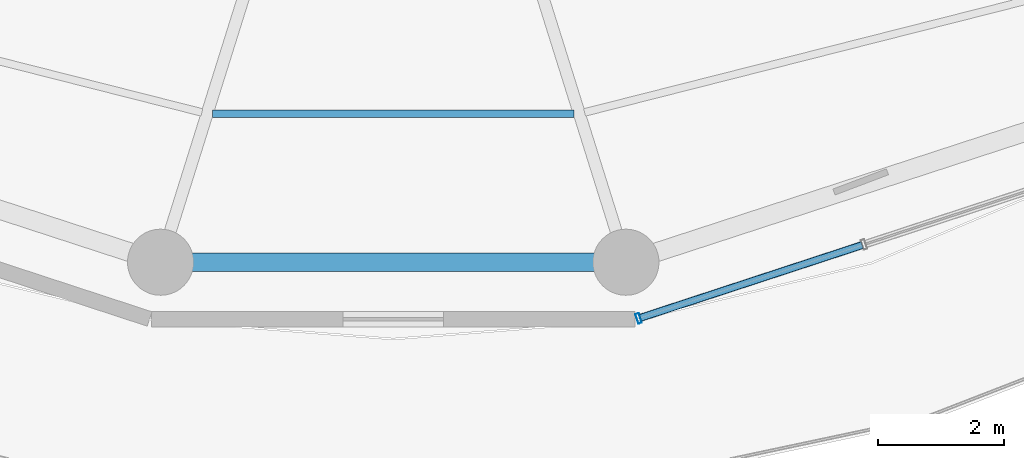
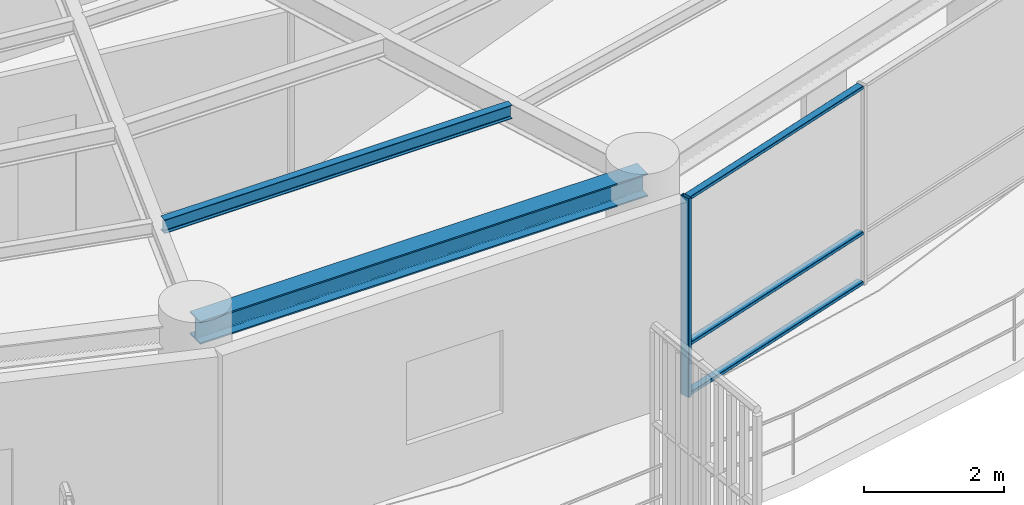
# One storey, part 4 of 30: 4 members, 2 beams, 1 element without a shape of its own.
"""IFC4 building model written with IfcOpenShell, lengths in metres."""

from ifc_helpers import new_model, si_unit, direction, frame, origin, origin_2d, place, context, subcontext, project, spatial, hollow_rectangle, i_section, extrude, material, layer, layer_set, material_profile, profile_set, type_object, element, aggregate, save


model = new_model("IFC4")

# Units and contexts
model_context = context("Model", 3, precision=1e-05, world=origin(), true_north=direction((0.0, 1.0)))
body_context = subcontext(model_context, "Body", "Model", "MODEL_VIEW")
ifc_project = project(units=[si_unit("LENGTHUNIT", "METRE"), si_unit("AREAUNIT", "SQUARE_METRE"), si_unit("VOLUMEUNIT", "CUBIC_METRE"), si_unit("PLANEANGLEUNIT", "RADIAN"), si_unit("MASSUNIT", "GRAM", prefix="KILO")], contexts=[model_context])

# Site, building, storey
site_placement = place(None, origin())
site = spatial("IfcSite", under=ifc_project, at=site_placement, CompositionType="ELEMENT")
building_placement = place(site_placement, origin())
building = spatial("IfcBuilding", under=site, at=building_placement, Name="Kelanora Arch Commons", CompositionType="ELEMENT")
storey_placement = place(building_placement, frame((0.0, 0.0, 204.449951171875)))
storey = spatial("IfcBuildingStorey", under=building, at=storey_placement, Name="L52", CompositionType="ELEMENT", Elevation=204.449951171875)

# Beams
ifc_material_1 = material(Name="Steel S355", Category="steel")
ifc_material_profile_1 = material_profile(ifc_material_1, i_section(OverallWidth=0.1201171875, OverallDepth=0.239990234375, WebThickness=0.006103515625, FlangeThickness=0.009765625, FilletRadius=0.014892578125, at=origin_2d()), Name="IPE240")
ifc_profile_set_1 = profile_set([ifc_material_profile_1], Name="Steel S355")
beam_type_1 = type_object("IfcBeamType", Name="BM-JST-02", PredefinedType="JOIST", material=ifc_profile_set_1)
beam_1_placement = place(storey_placement, frame((71.12890625, 41.56787109375, 3.3701171875), z_axis=(1.0, 0.0, 0.0), x_axis=(0.0, 1.0, 0.0)))
element("IfcBeam", 1, at=beam_1_placement, inside=storey, type_object=beam_type_1, Name="Secondary Chord Joist BJC-26 L52", PredefinedType="JOIST", context=body_context, shape_type="SweptSolid", body=[
    extrude(i_section(OverallWidth=0.1201171875, OverallDepth=0.239990234375, WebThickness=0.006103515625, FlangeThickness=0.009765625, FilletRadius=0.014892578125, at=origin_2d()), origin(), (0.0, 0.0, 1.0), 5.7421875),
])
ifc_material_profile_2 = material_profile(ifc_material_1, i_section(OverallWidth=0.300048828125, OverallDepth=0.39990234375, WebThickness=0.013427734375, FlangeThickness=0.02392578125, FilletRadius=0.027099609375, at=origin_2d()), Name="HEB400")
ifc_profile_set_2 = profile_set([ifc_material_profile_2], Name="Steel S355")
beam_type_2 = type_object("IfcBeamType", Name="BM-SPN-Z4", PredefinedType="SPANDREL", material=ifc_profile_set_2)
beam_2_placement = place(storey_placement, frame((70.3046875, 39.2099609375, 3.2900390625), z_axis=(1.0, 0.0, 0.0), x_axis=(0.0, 1.0, 0.0)))
element("IfcBeam", 2, at=beam_2_placement, inside=storey, type_object=beam_type_2, Name="Perimeter Spandrel Beam BS-26 L52", PredefinedType="SPANDREL", context=body_context, shape_type="SweptSolid", body=[
    extrude(i_section(OverallWidth=0.300048828125, OverallDepth=0.39990234375, WebThickness=0.013427734375, FlangeThickness=0.02392578125, FilletRadius=0.027099609375, at=origin_2d()), origin(), (0.0, 0.0, 1.0), 7.390625),
])

# Curtain wall, members
ifc_material_2 = material(Name="Terracotta ceramic-fritted low-E glass and aluminium", Category="masonry")
ifc_layer = layer(ifc_material_2, 0.175048828125)
ifc_layer_set = layer_set([ifc_layer], Name="Terracotta ceramic-fritted low-E glass and aluminium")
curtain_wall_type = type_object("IfcCurtainWallType", Name="CW-SYS-02", PredefinedType="NOTDEFINED", material=ifc_layer_set)
curtain_wall_placement = place(storey_placement, origin())
curtain_wall = element("IfcCurtainWall", 3, at=curtain_wall_placement, inside=storey, type_object=curtain_wall_type, Name="Unitised Curtain Wall L52-B14", PredefinedType="NOTDEFINED")
ifc_material_3 = material(Name="Powder-coated aluminium terracotta", Category="masonry")
ifc_material_profile_3 = material_profile(ifc_material_3, hollow_rectangle(XDim=0.159912109375, YDim=0.06005859375, WallThickness=0.0048828125, InnerFilletRadius=0.0048828125, OuterFilletRadius=0.010009765625, at=origin_2d()), Name="CWM160x60")
ifc_profile_set_3 = profile_set([ifc_material_profile_3], Name="Powder-coated aluminium terracotta")
member_type_1 = type_object("IfcMemberType", Name="CWM-STD", PredefinedType="MULLION", material=ifc_profile_set_3)
member_1_placement = place(storey_placement, frame((77.897705078125, 38.31787109375, 0.0), z_axis=(0.0, 0.0, 1.0), x_axis=(-0.311582439059, 0.950219124029, 0.0)))
member_1 = element("IfcMember", 4, at=member_1_placement, type_object=member_type_1, Name="CW-02 mullion 1", PredefinedType="MULLION", context=body_context, shape_type="SweptSolid", body=[
    extrude(hollow_rectangle(XDim=0.159912109375, YDim=0.06005859375, WallThickness=0.0048828125, InnerFilletRadius=0.0048828125, OuterFilletRadius=0.010009765625, at=origin_2d()), origin(), (0.0, 0.0, 1.0), 3.47509765625),
])
ifc_material_profile_4 = material_profile(ifc_material_3, hollow_rectangle(XDim=0.1201171875, YDim=0.06005859375, WallThickness=0.0048828125, InnerFilletRadius=0.0048828125, OuterFilletRadius=0.010009765625, at=origin_2d()), Name="CWT120x60")
ifc_profile_set_4 = profile_set([ifc_material_profile_4], Name="Powder-coated aluminium terracotta")
member_type_2 = type_object("IfcMemberType", Name="CWT-STD", PredefinedType="USERDEFINED", material=ifc_profile_set_4)
member_2_placement = place(storey_placement, frame((77.92626953125, 38.3271484375, 0.030029296875), z_axis=(0.950206527055, 0.311620852867, 0.0), x_axis=(-0.311620852867, 0.950206527055, 0.0)))
member_2 = element("IfcMember", 5, at=member_2_placement, type_object=member_type_2, Name="CW-02 transom 1.1", ObjectType="TRANSOM", PredefinedType="USERDEFINED", context=body_context, shape_type="SweptSolid", body=[
    extrude(hollow_rectangle(XDim=0.1201171875, YDim=0.06005859375, WallThickness=0.0048828125, InnerFilletRadius=0.0048828125, OuterFilletRadius=0.010009765625, at=origin_2d()), origin(), (0.0, 0.0, 1.0), 3.707275390625),
])
member_3_placement = place(storey_placement, frame((77.92626953125, 38.3271484375, 0.900146484375), z_axis=(0.950206527055, 0.311620852867, 0.0), x_axis=(-0.311620852867, 0.950206527055, 0.0)))
member_3 = element("IfcMember", 6, at=member_3_placement, type_object=member_type_2, Name="CW-02 transom 1.2", ObjectType="TRANSOM", PredefinedType="USERDEFINED", context=body_context, shape_type="SweptSolid", body=[
    extrude(hollow_rectangle(XDim=0.1201171875, YDim=0.06005859375, WallThickness=0.0048828125, InnerFilletRadius=0.0048828125, OuterFilletRadius=0.010009765625, at=origin_2d()), origin(), (0.0, 0.0, 1.0), 3.707275390625),
])
member_4_placement = place(storey_placement, frame((77.92626953125, 38.3271484375, 3.445068359375), z_axis=(0.950206527055, 0.311620852867, 0.0), x_axis=(-0.311620852867, 0.950206527055, 0.0)))
member_4 = element("IfcMember", 7, at=member_4_placement, type_object=member_type_2, Name="CW-02 transom 1.3", ObjectType="TRANSOM", PredefinedType="USERDEFINED", context=body_context, shape_type="SweptSolid", body=[
    extrude(hollow_rectangle(XDim=0.1201171875, YDim=0.06005859375, WallThickness=0.0048828125, InnerFilletRadius=0.0048828125, OuterFilletRadius=0.010009765625, at=origin_2d()), origin(), (0.0, 0.0, 1.0), 3.707275390625),
])
aggregate(curtain_wall, [member_1, member_2, member_3, member_4])

save(model, "model.ifc")
